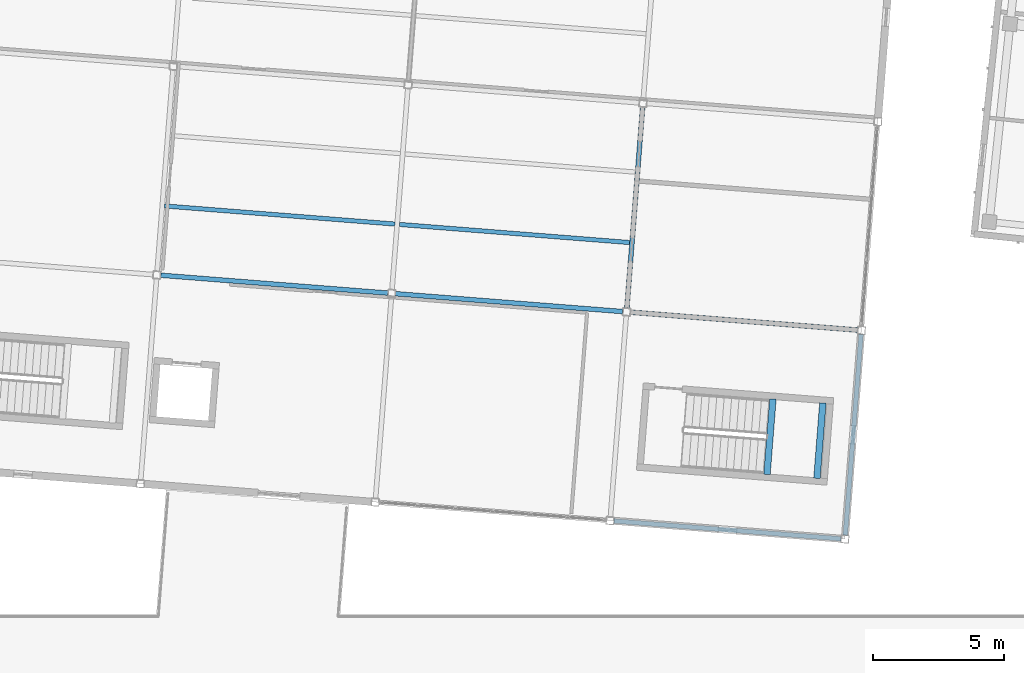
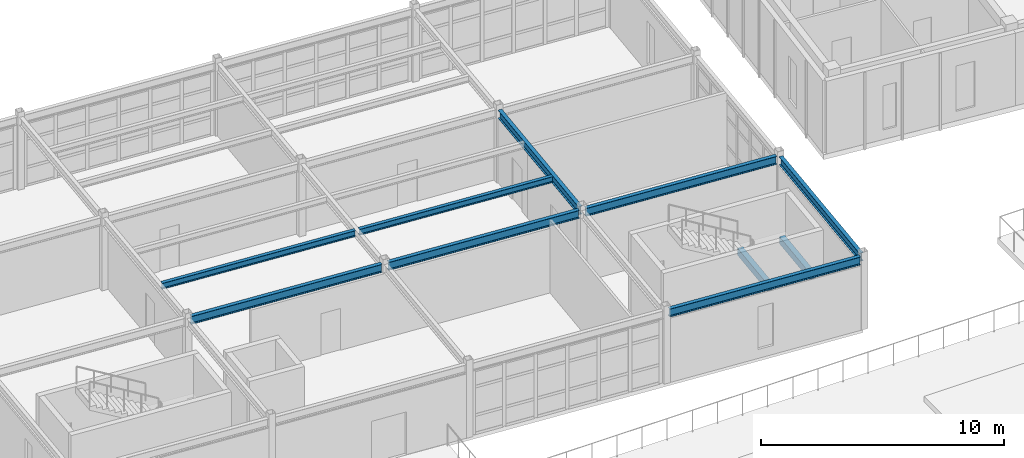
# One storey, part 46 of 150: 10 beams.
"""IFC4 building model written with IfcOpenShell, lengths in metres."""

from ifc_helpers import new_model, si_unit, direction, frame, origin, origin_2d, place, context, subcontext, project, spatial, rectangle, i_section, extrude, material, material_profile, profile_set, type_object, element, save


model = new_model("IFC4")

# Units and contexts
model_context = context("Model", 3, precision=1e-05, world=origin(), true_north=direction((0.0, 1.0)))
body_context = subcontext(model_context, "Body", "Model", "MODEL_VIEW")
ifc_project = project(units=[si_unit("LENGTHUNIT", "METRE"), si_unit("AREAUNIT", "SQUARE_METRE"), si_unit("VOLUMEUNIT", "CUBIC_METRE"), si_unit("PLANEANGLEUNIT", "RADIAN"), si_unit("MASSUNIT", "GRAM", prefix="KILO")], contexts=[model_context])

# Site, building, storey
site_placement = place(None, origin())
site = spatial("IfcSite", under=ifc_project, at=site_placement, CompositionType="ELEMENT")
building_placement = place(site_placement, origin())
building = spatial("IfcBuilding", under=site, at=building_placement, Name="Kestramere Prow Commons", CompositionType="ELEMENT")
storey_placement = place(building_placement, frame((0.0, 0.0, 4.5)))
storey = spatial("IfcBuildingStorey", under=building, at=storey_placement, Name="L01", CompositionType="ELEMENT", Elevation=4.5)

# Beams
ifc_material_1 = material(Name="Steel S355JR", Category="steel")
ifc_material_profile_1 = material_profile(ifc_material_1, i_section(OverallWidth=0.177978515625, OverallDepth=0.406494140625, WebThickness=0.0078125, FlangeThickness=0.0126953125, FilletRadius=0.01025390625, at=origin_2d()), Name="UB 406x178x60")
ifc_profile_set_1 = profile_set([ifc_material_profile_1], Name="Steel S355JR")
beam_type_1 = type_object("IfcBeamType", Name="BM-NR-01 UB 406x178x60", PredefinedType="BEAM", material=ifc_profile_set_1)
beam_1_placement = place(storey_placement, frame((78.349365234375, 92.75732421875, 3.44677734375), z_axis=(0.996919433544, -0.078432410537, 0.0), x_axis=(0.078432410537, 0.996919433544, 0.0)))
element("IfcBeam", 1, at=beam_1_placement, inside=storey, type_object=beam_type_1, Name="Nursery L01 Beam U 2-2", PredefinedType="BEAM", context=body_context, shape_type="SweptSolid", body=[
    extrude(i_section(OverallWidth=0.177978515625, OverallDepth=0.406494140625, WebThickness=0.0078125, FlangeThickness=0.0126953125, FilletRadius=0.01025390625, at=origin_2d()), origin(), (0.0, 0.0, 1.0), 8.7001953125),
])
for number, where, z_axis, x_axis, name in (
    (2, (87.32177734375, 92.05126953125, 3.44677734375), (0.996917066238, -0.078462494502, 0.0), (0.078462494502, 0.996917066238, 0.0), "Nursery L01 Beam U 2-3"),
    (3, (96.2939453125, 91.34521484375, 3.44677734375), (0.996917066238, -0.078462494502, 0.0), (0.078462494502, 0.996917066238, 0.0), "Nursery L01 Beam U 2-4"),
):
    element("IfcBeam", number, at=place(storey_placement, frame(where, z_axis=z_axis, x_axis=x_axis)), inside=storey, type_object=beam_type_1, Name=name, PredefinedType="BEAM", context=body_context, shape_type="SweptSolid", body=[
        extrude(i_section(OverallWidth=0.177978515625, OverallDepth=0.406494140625, WebThickness=0.0078125, FlangeThickness=0.0126953125, FilletRadius=0.01025390625, at=origin_2d()), origin(), (0.0, 0.0, 1.0), 8.699951171875),
    ])
beam_2_placement = place(storey_placement, frame((96.15625, 91.506591796875, 3.44677734375), z_axis=(0.078442108986, 0.996918670473, 0.0), x_axis=(-0.996918670473, 0.078442108986, 0.0)))
element("IfcBeam", 4, at=beam_2_placement, inside=storey, type_object=beam_type_1, Name="Nursery L01 Beam V 4-2", PredefinedType="BEAM", context=body_context, shape_type="SweptSolid", body=[
    extrude(i_section(OverallWidth=0.177978515625, OverallDepth=0.406494140625, WebThickness=0.0078125, FlangeThickness=0.0126953125, FilletRadius=0.01025390625, at=origin_2d()), origin(), (0.0, 0.0, 1.0), 7.699951171875),
])
ifc_material_profile_2 = material_profile(ifc_material_1, i_section(OverallWidth=0.177978515625, OverallDepth=0.406494140625, WebThickness=0.0078125, FlangeThickness=0.0126953125, FilletRadius=0.01025390625, at=origin_2d()), Name="UB 406x178x60")
ifc_profile_set_2 = profile_set([ifc_material_profile_2], Name="Steel S355JR")
beam_type_2 = type_object("IfcBeamType", Name="BM-NR-01 UB 406x178x60 (EX)", PredefinedType="BEAM", material=ifc_profile_set_2)
beam_3_placement = place(storey_placement, frame((95.666259765625, 83.369873046875, 3.44677734375), z_axis=(0.996917238993, -0.078460299505, 0.0), x_axis=(0.078460299505, 0.996917238993, 0.0)))
element("IfcBeam", 5, at=beam_3_placement, inside=storey, type_object=beam_type_2, Name="Nursery L01 Beam U 1-4", PredefinedType="BEAM", context=body_context, shape_type="SweptSolid", body=[
    extrude(i_section(OverallWidth=0.177978515625, OverallDepth=0.406494140625, WebThickness=0.0078125, FlangeThickness=0.0126953125, FilletRadius=0.01025390625, at=origin_2d()), origin(), (0.0, 0.0, 1.0), 8.7001953125),
])
beam_4_placement = place(storey_placement, frame((104.500732421875, 82.824951171875, 3.44677734375), z_axis=(0.078473620365, 0.996916190513, 0.0), x_axis=(-0.996916190513, 0.078473620365, 0.0)))
element("IfcBeam", 6, at=beam_4_placement, inside=storey, type_object=beam_type_2, Name="Nursery L01 Beam V 5-1", PredefinedType="BEAM", context=body_context, shape_type="SweptSolid", body=[
    extrude(i_section(OverallWidth=0.177978515625, OverallDepth=0.406494140625, WebThickness=0.0078125, FlangeThickness=0.0126953125, FilletRadius=0.01025390625, at=origin_2d()), origin(), (0.0, 0.0, 1.0), 7.699951171875),
])
ifc_material_2 = material(Name="Concrete C40/50", Category="concrete")
ifc_material_profile_3 = material_profile(ifc_material_2, rectangle(XDim=0.25, YDim=0.35009765625, at=origin_2d()), Name="PC-BM 250x350")
ifc_profile_set_3 = profile_set([ifc_material_profile_3], Name="Concrete C40/50")
beam_type_3 = type_object("IfcBeamType", Name="BM-ST-TRIM", PredefinedType="BEAM", material=ifc_profile_set_3)
for number, where, z_axis, x_axis, name in (
    (7, (101.5087890625, 85.14697265625, 1.574951171875), (0.078479342642, 0.99691574006, 0.0), (-0.99691574006, 0.078479342642, 0.0), "ST-N2 L01 Landing Trimmer Beam 1A"),
    (8, (103.417724609375, 84.99658203125, 1.574951171875), (0.078479342642, 0.99691574006, 0.0), (-0.99691574006, 0.078479342642, 0.0), "ST-N2 L01 Landing Trimmer Beam 1B"),
):
    element("IfcBeam", number, at=place(storey_placement, frame(where, z_axis=z_axis, x_axis=x_axis)), inside=storey, type_object=beam_type_3, Name=name, PredefinedType="BEAM", context=body_context, shape_type="SweptSolid", body=[
        extrude(rectangle(XDim=0.25, YDim=0.35009765625, at=origin_2d()), origin(), (0.0, 0.0, 1.0), 2.89013671875),
    ])
ifc_material_profile_4 = material_profile(ifc_material_1, i_section(OverallWidth=0.1650390625, OverallDepth=0.303466796875, WebThickness=0.006103515625, FlangeThickness=0.01025390625, FilletRadius=0.0087890625, at=origin_2d()), Name="UB 305x165x40")
ifc_profile_set_4 = profile_set([ifc_material_profile_4], Name="Steel S355JR")
beam_type_4 = type_object("IfcBeamType", Name="JST-NR-01 UB 305x165x40", PredefinedType="JOIST", material=ifc_profile_set_4)
for number, where, z_axis, x_axis, name in (
    (9, (78.49658203125, 95.404052734375, 3.498291015625), (0.996917659029, -0.07845496234, 0.0), (0.07845496234, 0.996917659029, 0.0), "Nursery L01 Secondary Joist 2-2"),
    (10, (87.46875, 94.697998046875, 3.498291015625), (0.996917659029, -0.07845496234, 0.0), (0.07845496234, 0.996917659029, 0.0), "Nursery L01 Secondary Joist 3-2"),
):
    element("IfcBeam", number, at=place(storey_placement, frame(where, z_axis=z_axis, x_axis=x_axis)), inside=storey, type_object=beam_type_4, Name=name, PredefinedType="JOIST", context=body_context, shape_type="SweptSolid", body=[
        extrude(i_section(OverallWidth=0.1650390625, OverallDepth=0.303466796875, WebThickness=0.006103515625, FlangeThickness=0.01025390625, FilletRadius=0.0087890625, at=origin_2d()), origin(), (0.0, 0.0, 1.0), 8.822021484375),
    ])

save(model, "model.ifc")
